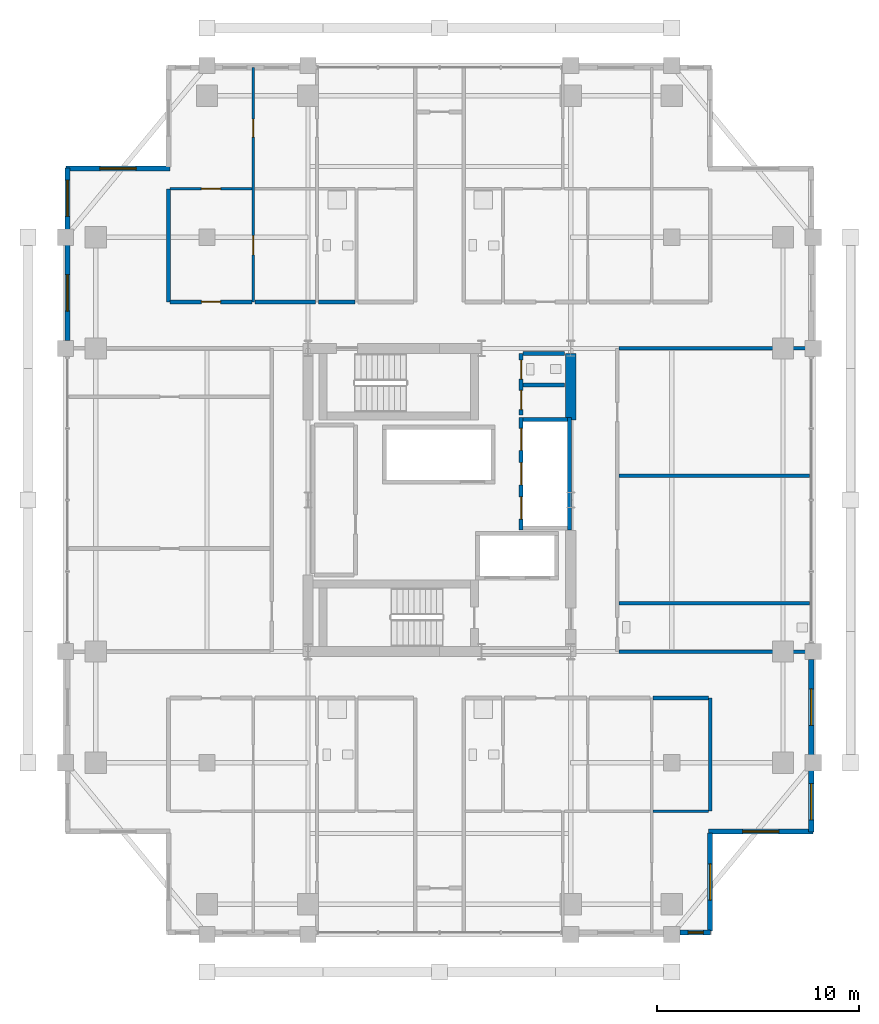
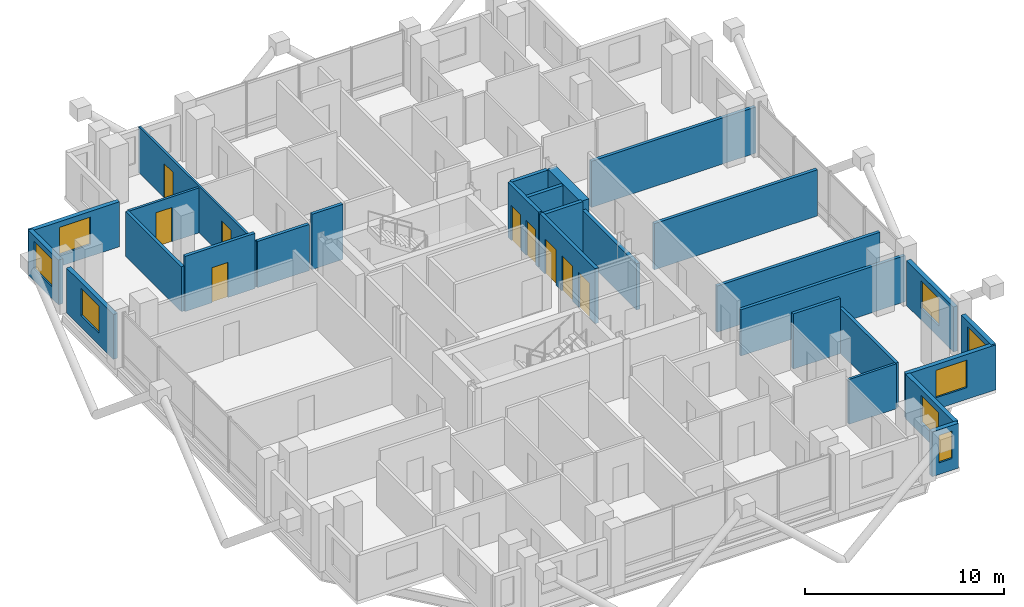
# One storey, part 20 of 24: 28 walls, 9 doors, 8 windows, 17 openings.
"""IFC4 building model written with IfcOpenShell, lengths in metres."""

from ifc_helpers import new_model, si_unit, direction, frame, frame_2d, origin, place, context, subcontext, project, spatial, rectangle, extrude, material, layer, layer_set, type_object, element, fill, save


model = new_model("IFC4")

# Units and contexts
model_context = context("Model", 3, precision=1e-05, world=origin(), true_north=direction((0.0, 1.0)))
body_context = subcontext(model_context, "Body", "Model", "MODEL_VIEW")
ifc_project = project(units=[si_unit("LENGTHUNIT", "METRE"), si_unit("AREAUNIT", "SQUARE_METRE"), si_unit("VOLUMEUNIT", "CUBIC_METRE"), si_unit("PLANEANGLEUNIT", "RADIAN"), si_unit("MASSUNIT", "GRAM", prefix="KILO")], contexts=[model_context])

# Site, building, storey
site_placement = place(None, origin())
site = spatial("IfcSite", under=ifc_project, at=site_placement, CompositionType="ELEMENT")
building_placement = place(site_placement, origin())
building = spatial("IfcBuilding", under=site, at=building_placement, Name="Barlavira Tower and Art Museum", CompositionType="ELEMENT")
storey_placement = place(building_placement, frame((0.0, 0.0, 194.39990234375)))
storey = spatial("IfcBuildingStorey", under=building, at=storey_placement, Name="L50", CompositionType="ELEMENT", Elevation=194.39990234375)

# Wall, openings, doors
ifc_material_1 = material(Name="Gypsum acoustic stud partition", Category="gypsum")
ifc_layer_1 = layer(ifc_material_1, 0.1201171875, Name="Gypsum acoustic stud partition")
ifc_layer_set_1 = layer_set([ifc_layer_1], Name="Gypsum acoustic stud partition")
wall_type_1 = type_object("IfcWallType", Name="Apartment Internal Acoustic Partition 120", PredefinedType="PARTITIONING", material=ifc_layer_set_1)
wall_1_placement = place(storey_placement, frame((-9.199951171875, 9.800048828125, 0.0), z_axis=(0.0, 0.0, 1.0), x_axis=(0.0, 1.0, 0.0)))
wall_1 = element("IfcWall", 1, at=wall_1_placement, inside=storey, type_object=wall_type_1, Name="L50 Partition Wall 4", PredefinedType="PARTITIONING", context=body_context, shape_type="SweptSolid", body=[
    extrude(rectangle(XDim=11.599853515625, YDim=0.1201171875, at=frame_2d((5.7998046875, 0.0))), origin(), (0.0, 0.0, 1.0), 2.826171875),
])
opening_1_placement = place(wall_1_placement, frame((2.324951171875, 0.0, 0.0)))
opening_1 = element("IfcOpeningElement", 2, at=opening_1_placement, cuts=wall_1, Name="Opening D-02", PredefinedType="OPENING", context=body_context, shape_type="SweptSolid", body=[
    extrude(rectangle(XDim=0.949951171875, YDim=2.10009765625, at=frame_2d((0.47509765625, 1.050048828125))), frame((0.0, 0.070068359375, 0.0), z_axis=(0.0, -1.0, 0.0), x_axis=(1.0, 0.0, 0.0)), (0.0, 0.0, 1.0), 0.14013671875),
])
opening_2_placement = place(wall_1_placement, frame((8.14990234375, 0.0, 0.0)))
opening_2 = element("IfcOpeningElement", 3, at=opening_2_placement, cuts=wall_1, Name="Opening D-01", PredefinedType="OPENING", context=body_context, shape_type="SweptSolid", body=[
    extrude(rectangle(XDim=0.89990234375, YDim=2.10009765625, at=frame_2d((0.449951171875, 1.050048828125))), frame((0.0, 0.070068359375, 0.0), z_axis=(0.0, -1.0, 0.0), x_axis=(1.0, 0.0, 0.0)), (0.0, 0.0, 1.0), 0.14013671875),
])
ifc_material_2 = material(Name="Engineered coastal hardwood", Category="wood")
door_type_1 = type_object("IfcDoorType", Name="Internal Bedroom Timber Flush Door 900x2100", OperationType="NOTDEFINED", PredefinedType="DOOR", material=ifc_material_2)
door_1_placement = place(opening_2_placement, origin())
door_1 = element("IfcDoor", 4, at=door_1_placement, inside=storey, type_object=door_type_1, Name="Apartment NW1 Bedroom 1 Door", OperationType="SINGLE_SWING_RIGHT", OverallHeight=2.10009765625, OverallWidth=0.89990234375, PredefinedType="DOOR", context=body_context, shape_type="SweptSolid", body=[
    extrude(rectangle(XDim=0.89990234375, YDim=2.10009765625, at=frame_2d((0.449951171875, 1.050048828125))), frame((0.0, 0.02490234375, 0.0), z_axis=(0.0, -1.0, 0.0), x_axis=(1.0, 0.0, 0.0)), (0.0, 0.0, 1.0), 0.050048828125),
])
fill(opening_2, door_1)
door_type_2 = type_object("IfcDoorType", Name="Living and Salon Glazed-Leaf Door 950x2100", OperationType="NOTDEFINED", PredefinedType="DOOR", material=ifc_material_2)
door_2_placement = place(opening_1_placement, origin())
door_2 = element("IfcDoor", 5, at=door_2_placement, inside=storey, type_object=door_type_2, Name="Apartment NW1 Kitchen Door", OperationType="SINGLE_SWING_RIGHT", OverallHeight=2.10009765625, OverallWidth=0.949951171875, PredefinedType="DOOR", context=body_context, shape_type="SweptSolid", body=[
    extrude(rectangle(XDim=0.949951171875, YDim=2.10009765625, at=frame_2d((0.47509765625, 1.050048828125))), frame((0.0, 0.02490234375, 0.0), z_axis=(0.0, -1.0, 0.0), x_axis=(1.0, 0.0, 0.0)), (0.0, 0.0, 1.0), 0.050048828125),
])
fill(opening_1, door_2)

# Wall
ifc_material_3 = material(Name="Concrete C60", Category="concrete")
ifc_layer_2 = layer(ifc_material_3, 0.5, Name="Concrete C60")
ifc_layer_set_2 = layer_set([ifc_layer_2], Name="Concrete C60")
wall_type_2 = type_object("IfcWallType", Name="Core Structural Shear Wall 500 Concrete C60", PredefinedType="SHEAR", material=ifc_layer_set_2)
wall_2_placement = place(storey_placement, frame((6.5, 3.949951171875, 0.0), z_axis=(0.0, 0.0, 1.0), x_axis=(0.0, 1.0, 0.0)))
element("IfcWall", 6, at=wall_2_placement, inside=storey, type_object=wall_type_2, Name="L50 Core Shear Wall CS-E2", PredefinedType="SHEAR", context=body_context, shape_type="SweptSolid", body=[
    extrude(rectangle(XDim=3.300048828125, YDim=0.5, at=frame_2d((1.64990234375, 0.0))), origin(), (0.0, 0.0, 1.0), 3.380126953125),
])

# Wall, openings, doors
ifc_material_4 = material(Name="Autoclaved aerated concrete masonry", Category="masonry")
ifc_layer_3 = layer(ifc_material_4, 0.199951171875, Name="Autoclaved aerated concrete masonry")
ifc_layer_set_3 = layer_set([ifc_layer_3], Name="Autoclaved aerated concrete masonry")
wall_type_3 = type_object("IfcWallType", Name="Fire Compartment and Shaft Wall 200", PredefinedType="SOLIDWALL", material=ifc_layer_set_3)
wall_3_placement = place(storey_placement, frame((4.050048828125, -1.489990234375, 0.0), z_axis=(0.0, 0.0, 1.0), x_axis=(0.0, 1.0, 0.0)))
wall_3 = element("IfcWall", 7, at=wall_3_placement, inside=storey, type_object=wall_type_3, Name="L50 Mid-Rise Lift Front Shaft Wall", PredefinedType="SOLIDWALL", context=body_context, shape_type="SweptSolid", body=[
    extrude(rectangle(XDim=5.580078125, YDim=0.199951171875, at=frame_2d((2.7900390625, 0.0))), origin(), (0.0, 0.0, 1.0), 3.380126953125),
])
opening_3_placement = place(wall_3_placement, frame((0.5400390625, 0.0, 0.0)))
opening_3 = element("IfcOpeningElement", 8, at=opening_3_placement, cuts=wall_3, Name="Opening LD-P", PredefinedType="OPENING", context=body_context, shape_type="SweptSolid", body=[
    extrude(rectangle(XDim=1.10009765625, YDim=2.14990234375, at=frame_2d((0.550048828125, 1.074951171875))), frame((0.0, 0.10986328125, 0.0), z_axis=(0.0, -1.0, 0.0), x_axis=(1.0, 0.0, 0.0)), (0.0, 0.0, 1.0), 0.219970703125),
])
opening_4_placement = place(wall_3_placement, frame((2.239990234375, 0.0, 0.0)))
opening_4 = element("IfcOpeningElement", 9, at=opening_4_placement, cuts=wall_3, Name="Opening LD-P", PredefinedType="OPENING", context=body_context, shape_type="SweptSolid", body=[
    extrude(rectangle(XDim=1.10009765625, YDim=2.14990234375, at=frame_2d((0.550048828125, 1.074951171875))), frame((0.0, 0.10986328125, 0.0), z_axis=(0.0, -1.0, 0.0), x_axis=(1.0, 0.0, 0.0)), (0.0, 0.0, 1.0), 0.219970703125),
])
opening_5_placement = place(wall_3_placement, frame((3.93994140625, 0.0, 0.0)))
opening_5 = element("IfcOpeningElement", 10, at=opening_5_placement, cuts=wall_3, Name="Opening LD-P", PredefinedType="OPENING", context=body_context, shape_type="SweptSolid", body=[
    extrude(rectangle(XDim=1.10009765625, YDim=2.14990234375, at=frame_2d((0.550048828125, 1.074951171875))), frame((0.0, 0.10986328125, 0.0), z_axis=(0.0, -1.0, 0.0), x_axis=(1.0, 0.0, 0.0)), (0.0, 0.0, 1.0), 0.219970703125),
])
ifc_material_5 = material(Name="Brushed stainless steel", Category="steel")
door_type_3 = type_object("IfcDoorType", Name="Passenger Lift Sliding Landing Door 1100x2150 FD60", OperationType="NOTDEFINED", PredefinedType="DOOR", material=ifc_material_5)
door_3_placement = place(opening_3_placement, origin())
door_3 = element("IfcDoor", 11, at=door_3_placement, inside=storey, type_object=door_type_3, Name="L50 Lift PM1 Sliding Landing Door", OperationType="DOUBLE_DOOR_SLIDING", OverallHeight=2.14990234375, OverallWidth=1.10009765625, PredefinedType="DOOR", context=body_context, shape_type="SweptSolid", body=[
    extrude(rectangle(XDim=1.10009765625, YDim=2.14990234375, at=frame_2d((0.550048828125, 1.074951171875))), frame((0.0, 0.02490234375, 0.0), z_axis=(0.0, -1.0, 0.0), x_axis=(1.0, 0.0, 0.0)), (0.0, 0.0, 1.0), 0.050048828125),
])
fill(opening_3, door_3)
door_4_placement = place(opening_4_placement, origin())
door_4 = element("IfcDoor", 12, at=door_4_placement, inside=storey, type_object=door_type_3, Name="L50 Lift PM2 Sliding Landing Door", OperationType="DOUBLE_DOOR_SLIDING", OverallHeight=2.14990234375, OverallWidth=1.10009765625, PredefinedType="DOOR", context=body_context, shape_type="SweptSolid", body=[
    extrude(rectangle(XDim=1.10009765625, YDim=2.14990234375, at=frame_2d((0.550048828125, 1.074951171875))), frame((0.0, 0.02490234375, 0.0), z_axis=(0.0, -1.0, 0.0), x_axis=(1.0, 0.0, 0.0)), (0.0, 0.0, 1.0), 0.050048828125),
])
fill(opening_4, door_4)
door_5_placement = place(opening_5_placement, origin())
door_5 = element("IfcDoor", 13, at=door_5_placement, inside=storey, type_object=door_type_3, Name="L50 Lift PM3 Sliding Landing Door", OperationType="DOUBLE_DOOR_SLIDING", OverallHeight=2.14990234375, OverallWidth=1.10009765625, PredefinedType="DOOR", context=body_context, shape_type="SweptSolid", body=[
    extrude(rectangle(XDim=1.10009765625, YDim=2.14990234375, at=frame_2d((0.550048828125, 1.074951171875))), frame((0.0, 0.02490234375, 0.0), z_axis=(0.0, -1.0, 0.0), x_axis=(1.0, 0.0, 0.0)), (0.0, 0.0, 1.0), 0.050048828125),
])
fill(opening_5, door_5)

# Walls
wall_4_placement = place(storey_placement, frame((6.449951171875, -1.489990234375, 0.0), z_axis=(0.0, 0.0, 1.0), x_axis=(0.0, 1.0, 0.0)))
element("IfcWall", 14, at=wall_4_placement, inside=storey, type_object=wall_type_3, Name="L50 Mid-Rise Lift Back Shaft Wall", PredefinedType="SOLIDWALL", context=body_context, shape_type="SweptSolid", body=[
    extrude(rectangle(XDim=5.580078125, YDim=0.199951171875, at=frame_2d((2.7900390625, 0.0))), origin(), (0.0, 0.0, 1.0), 2.826171875),
])
wall_5_placement = place(storey_placement, frame((4.14990234375, 3.989990234375, 0.0), z_axis=(0.0, 0.0, 1.0), x_axis=(1.0, 0.0, 0.0)))
element("IfcWall", 15, at=wall_5_placement, inside=storey, type_object=wall_type_3, Name="L50 Mid-Rise Lift North Shaft Wall", PredefinedType="SOLIDWALL", context=body_context, shape_type="SweptSolid", body=[
    extrude(rectangle(XDim=2.2001953125, YDim=0.199951171875, at=frame_2d((1.10009765625, 0.0))), origin(), (0.0, 0.0, 1.0), 3.380126953125),
])

# Wall, openings, doors
wall_6_placement = place(storey_placement, frame((4.050048828125, 4.199951171875, 0.0), z_axis=(0.0, 0.0, 1.0), x_axis=(0.0, 1.0, 0.0)))
wall_6 = element("IfcWall", 16, at=wall_6_placement, inside=storey, type_object=wall_type_3, Name="L50 Partition Wall 18", PredefinedType="SOLIDWALL", context=body_context, shape_type="SweptSolid", body=[
    extrude(rectangle(XDim=3.050048828125, YDim=0.199951171875, at=frame_2d((1.52490234375, 0.0))), origin(), (0.0, 0.0, 1.0), 3.380126953125),
])
opening_6_placement = place(wall_6_placement, frame((0.27490234375, 0.0, 0.0)))
opening_6 = element("IfcOpeningElement", 17, at=opening_6_placement, cuts=wall_6, Name="Opening FD-60", PredefinedType="OPENING", context=body_context, shape_type="SweptSolid", body=[
    extrude(rectangle(XDim=0.949951171875, YDim=2.14990234375, at=frame_2d((0.47509765625, 1.074951171875))), frame((0.0, 0.10986328125, 0.0), z_axis=(0.0, -1.0, 0.0), x_axis=(1.0, 0.0, 0.0)), (0.0, 0.0, 1.0), 0.219970703125),
])
opening_7_placement = place(wall_6_placement, frame((1.77490234375, 0.0, 0.0)))
opening_7 = element("IfcOpeningElement", 18, at=opening_7_placement, cuts=wall_6, Name="Opening FD-60", PredefinedType="OPENING", context=body_context, shape_type="SweptSolid", body=[
    extrude(rectangle(XDim=0.949951171875, YDim=2.14990234375, at=frame_2d((0.47509765625, 1.074951171875))), frame((0.0, 0.10986328125, 0.0), z_axis=(0.0, -1.0, 0.0), x_axis=(1.0, 0.0, 0.0)), (0.0, 0.0, 1.0), 0.219970703125),
])
door_type_4 = type_object("IfcDoorType", Name="Apartment Entrance and Riser Fire Door 950x2150 FD60S", OperationType="NOTDEFINED", PredefinedType="DOOR", material=ifc_material_5)
door_6_placement = place(opening_6_placement, origin())
door_6 = element("IfcDoor", 19, at=door_6_placement, inside=storey, type_object=door_type_4, Name="Electrical Switchgear Room Door", OperationType="SINGLE_SWING_LEFT", OverallHeight=2.14990234375, OverallWidth=0.949951171875, PredefinedType="DOOR", context=body_context, shape_type="SweptSolid", body=[
    extrude(rectangle(XDim=0.949951171875, YDim=2.14990234375, at=frame_2d((0.47509765625, 1.074951171875))), frame((0.0, 0.02490234375, 0.0), z_axis=(0.0, -1.0, 0.0), x_axis=(1.0, 0.0, 0.0)), (0.0, 0.0, 1.0), 0.050048828125),
])
fill(opening_6, door_6)
door_7_placement = place(opening_7_placement, origin())
door_7 = element("IfcDoor", 20, at=door_7_placement, inside=storey, type_object=door_type_4, Name="Core Staff Toilet Door", OperationType="SINGLE_SWING_RIGHT", OverallHeight=2.14990234375, OverallWidth=0.949951171875, PredefinedType="DOOR", context=body_context, shape_type="SweptSolid", body=[
    extrude(rectangle(XDim=0.949951171875, YDim=2.14990234375, at=frame_2d((0.47509765625, 1.074951171875))), frame((0.0, 0.02490234375, 0.0), z_axis=(0.0, -1.0, 0.0), x_axis=(1.0, 0.0, 0.0)), (0.0, 0.0, 1.0), 0.050048828125),
])
fill(opening_7, door_7)

# Walls
for number, where, z_axis, x_axis, name in (
    (21, (4.1298828125, 5.699951171875, 0.0), (0.0, 0.0, 1.0), (1.0, 0.0, 0.0), "L50 Partition Wall 54"),
    (22, (4.1298828125, 7.25, 0.0), (0.0, 0.0, 1.0), (1.0, 0.0, 0.0), "L50 Partition Wall 55"),
):
    element("IfcWall", number, at=place(storey_placement, frame(where, z_axis=z_axis, x_axis=x_axis)), inside=storey, type_object=wall_type_3, Name=name, PredefinedType="SOLIDWALL", context=body_context, shape_type="SweptSolid", body=[
        extrude(rectangle(XDim=2.070068359375, YDim=0.199951171875, at=frame_2d((1.03515625, 0.0))), origin(), (0.0, 0.0, 1.0), 3.380126953125),
    ])
ifc_layer_4 = layer(ifc_material_1, 0.179931640625, Name="Gypsum acoustic stud partition")
ifc_layer_set_4 = layer_set([ifc_layer_4], Name="Gypsum acoustic stud partition")
wall_type_4 = type_object("IfcWallType", Name="Inter-Tenancy Party Partition Wall 180", PredefinedType="PARTITIONING", material=ifc_layer_set_4)
for number, where, z_axis, x_axis, name in (
    (23, (-13.39990234375, 9.800048828125, 0.0), (0.0, 0.0, 1.0), (0.0, 1.0, 0.0), "L50 Partition Wall 2"),
    (24, (13.39990234375, -15.39990234375, 0.0), (0.0, 0.0, 1.0), (0.0, 1.0, 0.0), "L50 Partition Wall 26"),
):
    element("IfcWall", number, at=place(storey_placement, frame(where, z_axis=z_axis, x_axis=x_axis)), inside=storey, type_object=wall_type_4, Name=name, PredefinedType="PARTITIONING", context=body_context, shape_type="SweptSolid", body=[
        extrude(rectangle(XDim=5.599853515625, YDim=0.179931640625, at=frame_2d((2.7998046875, 0.0))), origin(), (0.0, 0.0, 1.0), 2.748046875),
    ])
wall_7_placement = place(storey_placement, frame((10.580078125, -9.800048828125, 0.0), z_axis=(0.0, 0.0, 1.0), x_axis=(1.0, 0.0, 0.0)))
element("IfcWall", 25, at=wall_7_placement, inside=storey, type_object=wall_type_4, Name="L50 Partition Wall 45", PredefinedType="PARTITIONING", context=body_context, shape_type="SweptSolid", body=[
    extrude(rectangle(XDim=2.739990234375, YDim=0.179931640625, at=frame_2d((1.3701171875, 0.0))), origin(), (0.0, 0.0, 1.0), 3.380126953125),
])
wall_8_placement = place(storey_placement, frame((8.8798828125, -7.5, 0.0), z_axis=(0.0, 0.0, 1.0), x_axis=(1.0, 0.0, 0.0)))
element("IfcWall", 26, at=wall_8_placement, inside=storey, type_object=wall_type_4, Name="L50 Partition Wall 47", PredefinedType="PARTITIONING", context=body_context, shape_type="SweptSolid", body=[
    extrude(rectangle(XDim=9.52001953125, YDim=0.179931640625, at=frame_2d((4.760009765625, 0.0))), origin(), (0.0, 0.0, 1.0), 2.826171875),
])
for number, where, z_axis, x_axis, name in (
    (27, (8.8798828125, -5.10009765625, 0.0), (0.0, 0.0, 1.0), (1.0, 0.0, 0.0), "L50 Partition Wall 48"),
    (28, (8.8798828125, 1.199951171875, 0.0), (0.0, 0.0, 1.0), (1.0, 0.0, 0.0), "L50 Partition Wall 51"),
):
    element("IfcWall", number, at=place(storey_placement, frame(where, z_axis=z_axis, x_axis=x_axis)), inside=storey, type_object=wall_type_4, Name=name, PredefinedType="PARTITIONING", context=body_context, shape_type="SweptSolid", body=[
        extrude(rectangle(XDim=9.440185546875, YDim=0.179931640625, at=frame_2d((4.72021484375, 0.0))), origin(), (0.0, 0.0, 1.0), 2.826171875),
    ])
wall_9_placement = place(storey_placement, frame((8.8798828125, 7.5, 0.0), z_axis=(0.0, 0.0, 1.0), x_axis=(1.0, 0.0, 0.0)))
element("IfcWall", 29, at=wall_9_placement, inside=storey, type_object=wall_type_4, Name="L50 Partition Wall 57", PredefinedType="PARTITIONING", context=body_context, shape_type="SweptSolid", body=[
    extrude(rectangle(XDim=9.52001953125, YDim=0.179931640625, at=frame_2d((4.760009765625, 0.0))), origin(), (0.0, 0.0, 1.0), 2.826171875),
])

# Wall, opening, door
wall_10_placement = place(storey_placement, frame((-13.320068359375, 9.800048828125, 0.0), z_axis=(0.0, 0.0, 1.0), x_axis=(1.0, 0.0, 0.0)))
wall_10 = element("IfcWall", 30, at=wall_10_placement, inside=storey, type_object=wall_type_4, Name="L50 Partition Wall 58", PredefinedType="PARTITIONING", context=body_context, shape_type="SweptSolid", body=[
    extrude(rectangle(XDim=4.0400390625, YDim=0.179931640625, at=frame_2d((2.02001953125, 0.0))), origin(), (0.0, 0.0, 1.0), 3.380126953125),
])
opening_8_placement = place(wall_10_placement, frame((1.544921875, 0.0, 0.0)))
opening_8 = element("IfcOpeningElement", 31, at=opening_8_placement, cuts=wall_10, Name="Opening FD-60", PredefinedType="OPENING", context=body_context, shape_type="SweptSolid", body=[
    extrude(rectangle(XDim=0.949951171875, YDim=2.14990234375, at=frame_2d((0.47509765625, 1.074951171875))), frame((0.0, 0.10009765625, 0.0), z_axis=(0.0, -1.0, 0.0), x_axis=(1.0, 0.0, 0.0)), (0.0, 0.0, 1.0), 0.199951171875),
])
door_8_placement = place(opening_8_placement, origin())
door_8 = element("IfcDoor", 32, at=door_8_placement, inside=storey, type_object=door_type_4, Name="Apartment Entrance Hall NW1 Door", OperationType="SINGLE_SWING_LEFT", OverallHeight=2.14990234375, OverallWidth=0.949951171875, PredefinedType="DOOR", context=body_context, shape_type="SweptSolid", body=[
    extrude(rectangle(XDim=0.949951171875, YDim=2.14990234375, at=frame_2d((0.47509765625, 1.074951171875))), frame((0.0, 0.02490234375, 0.0), z_axis=(0.0, -1.0, 0.0), x_axis=(1.0, 0.0, 0.0)), (0.0, 0.0, 1.0), 0.050048828125),
])
fill(opening_8, door_8)

# Walls
wall_11_placement = place(storey_placement, frame((-9.1201171875, 9.800048828125, 0.0), z_axis=(0.0, 0.0, 1.0), x_axis=(1.0, 0.0, 0.0)))
element("IfcWall", 33, at=wall_11_placement, inside=storey, type_object=wall_type_4, Name="L50 Partition Wall 59", PredefinedType="PARTITIONING", context=body_context, shape_type="SweptSolid", body=[
    extrude(rectangle(XDim=2.990234375, YDim=0.179931640625, at=frame_2d((1.4951171875, 0.0))), origin(), (0.0, 0.0, 1.0), 2.826171875),
])
wall_12_placement = place(storey_placement, frame((-5.969970703125, 9.800048828125, 0.0), z_axis=(0.0, 0.0, 1.0), x_axis=(1.0, 0.0, 0.0)))
element("IfcWall", 34, at=wall_12_placement, inside=storey, type_object=wall_type_4, Name="L50 Partition Wall 60", PredefinedType="PARTITIONING", context=body_context, shape_type="SweptSolid", body=[
    extrude(rectangle(XDim=1.7900390625, YDim=0.179931640625, at=frame_2d((0.89501953125, 0.0))), origin(), (0.0, 0.0, 1.0), 3.380126953125),
])
ifc_layer_5 = layer(ifc_material_1, 0.139892578125, Name="Gypsum acoustic stud partition")
ifc_layer_set_5 = layer_set([ifc_layer_5], Name="Gypsum acoustic stud partition")
wall_type_5 = type_object("IfcWallType", Name="Moisture-Resistant Bathroom Partition 140", PredefinedType="PARTITIONING", material=ifc_layer_set_5)
wall_13_placement = place(storey_placement, frame((10.580078125, -15.39990234375, 0.0), z_axis=(0.0, 0.0, 1.0), x_axis=(1.0, 0.0, 0.0)))
element("IfcWall", 35, at=wall_13_placement, inside=storey, type_object=wall_type_5, Name="L50 Partition Wall 37", PredefinedType="PARTITIONING", context=body_context, shape_type="SweptSolid", body=[
    extrude(rectangle(XDim=2.739990234375, YDim=0.139892578125, at=frame_2d((1.3701171875, 0.0))), origin(), (0.0, 0.0, 1.0), 2.748046875),
])

# Wall, opening, door
wall_14_placement = place(storey_placement, frame((-13.320068359375, 15.39990234375, 0.0), z_axis=(0.0, 0.0, 1.0), x_axis=(1.0, 0.0, 0.0)))
wall_14 = element("IfcWall", 36, at=wall_14_placement, inside=storey, type_object=wall_type_5, Name="L50 Partition Wall 66", PredefinedType="PARTITIONING", context=body_context, shape_type="SweptSolid", body=[
    extrude(rectangle(XDim=4.0400390625, YDim=0.139892578125, at=frame_2d((2.02001953125, 0.0))), origin(), (0.0, 0.0, 1.0), 2.748046875),
])
opening_9_placement = place(wall_14_placement, frame((1.544921875, 0.0, 0.0)))
opening_9 = element("IfcOpeningElement", 37, at=opening_9_placement, cuts=wall_14, Name="Opening D-02", PredefinedType="OPENING", context=body_context, shape_type="SweptSolid", body=[
    extrude(rectangle(XDim=0.949951171875, YDim=2.10009765625, at=frame_2d((0.47509765625, 1.050048828125))), frame((0.0, 0.080078125, 0.0), z_axis=(0.0, -1.0, 0.0), x_axis=(1.0, 0.0, 0.0)), (0.0, 0.0, 1.0), 0.159912109375),
])
door_9_placement = place(opening_9_placement, origin())
door_9 = element("IfcDoor", 38, at=door_9_placement, inside=storey, type_object=door_type_2, Name="Apartment NW1 Living Lounge Door", OperationType="SINGLE_SWING_LEFT", OverallHeight=2.10009765625, OverallWidth=0.949951171875, PredefinedType="DOOR", context=body_context, shape_type="SweptSolid", body=[
    extrude(rectangle(XDim=0.949951171875, YDim=2.10009765625, at=frame_2d((0.47509765625, 1.050048828125))), frame((0.0, 0.02490234375, 0.0), z_axis=(0.0, -1.0, 0.0), x_axis=(1.0, 0.0, 0.0)), (0.0, 0.0, 1.0), 0.050048828125),
])
fill(opening_9, door_9)

# Wall, opening, window
ifc_material_6 = material(Name="Precast concrete C40", Category="concrete")
ifc_layer_6 = layer(ifc_material_6, 0.25, Name="Precast concrete C40")
ifc_layer_set_6 = layer_set([ifc_layer_6], Name="Precast concrete C40")
wall_type_6 = type_object("IfcWallType", Name="Notched Corner Spandrel Wall 250 Precast Concrete C40", PredefinedType="SOLIDWALL", material=ifc_layer_set_6)
wall_15_placement = place(storey_placement, frame((11.89501953125, -21.39990234375, 0.0), z_axis=(0.0, 0.0, 1.0), x_axis=(1.0, 0.0, 0.0)))
wall_15 = element("IfcWall", 39, at=wall_15_placement, inside=storey, type_object=wall_type_6, Name="L50 Coastal Facade Pier Wall CW3-L50-S-5", PredefinedType="SOLIDWALL", context=body_context, shape_type="SweptSolid", body=[
    extrude(rectangle(XDim=1.530029296875, YDim=0.25, at=frame_2d((0.76513671875, 0.0))), origin(), (0.0, 0.0, 1.0), 2.748046875),
])
opening_10_placement = place(wall_15_placement, frame((0.407958984375, 0.0, 0.719970703125)))
opening_10 = element("IfcOpeningElement", 40, at=opening_10_placement, cuts=wall_15, Name="Opening WN-06", PredefinedType="OPENING", context=body_context, shape_type="SweptSolid", body=[
    extrude(rectangle(XDim=0.760009765625, YDim=1.679931640625, at=frame_2d((0.3798828125, 0.83984375))), frame((0.0, 0.135009765625, 0.0), z_axis=(0.0, -1.0, 0.0), x_axis=(1.0, 0.0, 0.0)), (0.0, 0.0, 1.0), 0.27001953125),
])
ifc_material_7 = material(Name="Low-iron coastal laminated glass", Category="glass")
window_type_1 = type_object("IfcWindowType", Name="Recessed Narrow Pier Window 760x1680", PartitioningType="SINGLE_PANEL", PredefinedType="WINDOW", material=ifc_material_7)
window_1_placement = place(opening_10_placement, origin())
window_1 = element("IfcWindow", 41, at=window_1_placement, inside=storey, type_object=window_type_1, Name="L50 Punched Facade Window EWP-CW3-L50-S-5-1", OverallHeight=1.679931640625, OverallWidth=0.760009765625, PartitioningType="SINGLE_PANEL", PredefinedType="WINDOW", context=body_context, shape_type="SweptSolid", body=[
    extrude(rectangle(XDim=0.760009765625, YDim=1.679931640625, at=frame_2d((0.3798828125, 0.83984375))), frame((0.0, 0.030029296875, 0.0), z_axis=(0.0, -1.0, 0.0), x_axis=(1.0, 0.0, 0.0)), (0.0, 0.0, 1.0), 0.06005859375),
])
fill(opening_10, window_1)

wall_16_placement = place(storey_placement, frame((-18.39990234375, 16.425048828125, 0.0), z_axis=(0.0, 0.0, 1.0), x_axis=(0.0, -1.0, 0.0)))
wall_16 = element("IfcWall", 42, at=wall_16_placement, inside=storey, type_object=wall_type_6, Name="L50 Coastal Facade Pier Wall CW3-L50-W-1", PredefinedType="SOLIDWALL", context=body_context, shape_type="SweptSolid", body=[
    extrude(rectangle(XDim=3.030029296875, YDim=0.25, at=frame_2d((1.51513671875, 0.0))), origin(), (0.0, 0.0, 1.0), 2.748046875),
])
opening_11_placement = place(wall_16_placement, frame((0.593017578125, 0.0, 0.719970703125)))
opening_11 = element("IfcOpeningElement", 43, at=opening_11_placement, cuts=wall_16, Name="Opening WN-01", PredefinedType="OPENING", context=body_context, shape_type="SweptSolid", body=[
    extrude(rectangle(XDim=1.800048828125, YDim=1.679931640625, at=frame_2d((0.89990234375, 0.83984375))), frame((0.0, 0.135009765625, 0.0), z_axis=(0.0, -1.0, 0.0), x_axis=(1.0, 0.0, 0.0)), (0.0, 0.0, 1.0), 0.27001953125),
])
window_type_2 = type_object("IfcWindowType", Name="Recessed Notch Corner Punch Window 1800x1680", PartitioningType="SINGLE_PANEL", PredefinedType="WINDOW", material=ifc_material_7)
window_2_placement = place(opening_11_placement, origin())
window_2 = element("IfcWindow", 44, at=window_2_placement, inside=storey, type_object=window_type_2, Name="L50 Punched Facade Window EWP-CW3-L50-W-1-1", OverallHeight=1.679931640625, OverallWidth=1.800048828125, PartitioningType="SINGLE_PANEL", PredefinedType="WINDOW", context=body_context, shape_type="SweptSolid", body=[
    extrude(rectangle(XDim=1.800048828125, YDim=1.679931640625, at=frame_2d((0.89990234375, 0.83984375))), frame((0.0, 0.030029296875, 0.0), z_axis=(0.0, -1.0, 0.0), x_axis=(1.0, 0.0, 0.0)), (0.0, 0.0, 1.0), 0.06005859375),
])
fill(opening_11, window_2)

wall_17_placement = place(storey_placement, frame((-18.39990234375, 12.60498046875, 0.0), z_axis=(0.0, 0.0, 1.0), x_axis=(0.0, -1.0, 0.0)))
wall_17 = element("IfcWall", 45, at=wall_17_placement, inside=storey, type_object=wall_type_6, Name="L50 Coastal Facade Pier Wall CW3-L50-W-2", PredefinedType="SOLIDWALL", context=body_context, shape_type="SweptSolid", body=[
    extrude(rectangle(XDim=4.7099609375, YDim=0.25, at=frame_2d((2.35498046875, 0.0))), origin(), (0.0, 0.0, 1.0), 2.748046875),
])
opening_12_placement = place(wall_17_placement, frame((1.455078125, 0.0, 0.719970703125)))
opening_12 = element("IfcOpeningElement", 46, at=opening_12_placement, cuts=wall_17, Name="Opening WN-01", PredefinedType="OPENING", context=body_context, shape_type="SweptSolid", body=[
    extrude(rectangle(XDim=1.800048828125, YDim=1.679931640625, at=frame_2d((0.89990234375, 0.83984375))), frame((0.0, 0.135009765625, 0.0), z_axis=(0.0, -1.0, 0.0), x_axis=(1.0, 0.0, 0.0)), (0.0, 0.0, 1.0), 0.27001953125),
])
window_3_placement = place(opening_12_placement, origin())
window_3 = element("IfcWindow", 47, at=window_3_placement, inside=storey, type_object=window_type_2, Name="L50 Punched Facade Window EWP-CW3-L50-W-2-1", OverallHeight=1.679931640625, OverallWidth=1.800048828125, PartitioningType="SINGLE_PANEL", PredefinedType="WINDOW", context=body_context, shape_type="SweptSolid", body=[
    extrude(rectangle(XDim=1.800048828125, YDim=1.679931640625, at=frame_2d((0.89990234375, 0.83984375))), frame((0.0, 0.030029296875, 0.0), z_axis=(0.0, -1.0, 0.0), x_axis=(1.0, 0.0, 0.0)), (0.0, 0.0, 1.0), 0.06005859375),
])
fill(opening_12, window_3)

wall_18_placement = place(storey_placement, frame((18.39990234375, -16.425048828125, 0.0), z_axis=(0.0, 0.0, 1.0), x_axis=(0.0, 1.0, 0.0)))
wall_18 = element("IfcWall", 48, at=wall_18_placement, inside=storey, type_object=wall_type_6, Name="L50 Coastal Facade Pier Wall CW3-L50-E-1", PredefinedType="SOLIDWALL", context=body_context, shape_type="SweptSolid", body=[
    extrude(rectangle(XDim=3.030029296875, YDim=0.25, at=frame_2d((1.51513671875, 0.0))), origin(), (0.0, 0.0, 1.0), 2.748046875),
])
opening_13_placement = place(wall_18_placement, frame((0.593017578125, 0.0, 0.719970703125)))
opening_13 = element("IfcOpeningElement", 49, at=opening_13_placement, cuts=wall_18, Name="Opening WN-01", PredefinedType="OPENING", context=body_context, shape_type="SweptSolid", body=[
    extrude(rectangle(XDim=1.800048828125, YDim=1.679931640625, at=frame_2d((0.89990234375, 0.83984375))), frame((0.0, 0.135009765625, 0.0), z_axis=(0.0, -1.0, 0.0), x_axis=(1.0, 0.0, 0.0)), (0.0, 0.0, 1.0), 0.27001953125),
])
window_4_placement = place(opening_13_placement, origin())
window_4 = element("IfcWindow", 50, at=window_4_placement, inside=storey, type_object=window_type_2, Name="L50 Punched Facade Window EWP-CW3-L50-E-1-1", OverallHeight=1.679931640625, OverallWidth=1.800048828125, PartitioningType="SINGLE_PANEL", PredefinedType="WINDOW", context=body_context, shape_type="SweptSolid", body=[
    extrude(rectangle(XDim=1.800048828125, YDim=1.679931640625, at=frame_2d((0.89990234375, 0.83984375))), frame((0.0, 0.030029296875, 0.0), z_axis=(0.0, -1.0, 0.0), x_axis=(1.0, 0.0, 0.0)), (0.0, 0.0, 1.0), 0.06005859375),
])
fill(opening_13, window_4)

wall_19_placement = place(storey_placement, frame((18.39990234375, -12.60498046875, 0.0), z_axis=(0.0, 0.0, 1.0), x_axis=(0.0, 1.0, 0.0)))
wall_19 = element("IfcWall", 51, at=wall_19_placement, inside=storey, type_object=wall_type_6, Name="L50 Coastal Facade Pier Wall CW3-L50-E-2", PredefinedType="SOLIDWALL", context=body_context, shape_type="SweptSolid", body=[
    extrude(rectangle(XDim=4.7099609375, YDim=0.25, at=frame_2d((2.35498046875, 0.0))), origin(), (0.0, 0.0, 1.0), 2.748046875),
])
opening_14_placement = place(wall_19_placement, frame((1.455078125, 0.0, 0.719970703125)))
opening_14 = element("IfcOpeningElement", 52, at=opening_14_placement, cuts=wall_19, Name="Opening WN-01", PredefinedType="OPENING", context=body_context, shape_type="SweptSolid", body=[
    extrude(rectangle(XDim=1.800048828125, YDim=1.679931640625, at=frame_2d((0.89990234375, 0.83984375))), frame((0.0, 0.135009765625, 0.0), z_axis=(0.0, -1.0, 0.0), x_axis=(1.0, 0.0, 0.0)), (0.0, 0.0, 1.0), 0.27001953125),
])
window_5_placement = place(opening_14_placement, origin())
window_5 = element("IfcWindow", 53, at=window_5_placement, inside=storey, type_object=window_type_2, Name="L50 Punched Facade Window EWP-CW3-L50-E-2-1", OverallHeight=1.679931640625, OverallWidth=1.800048828125, PartitioningType="SINGLE_PANEL", PredefinedType="WINDOW", context=body_context, shape_type="SweptSolid", body=[
    extrude(rectangle(XDim=1.800048828125, YDim=1.679931640625, at=frame_2d((0.89990234375, 0.83984375))), frame((0.0, 0.030029296875, 0.0), z_axis=(0.0, -1.0, 0.0), x_axis=(1.0, 0.0, 0.0)), (0.0, 0.0, 1.0), 0.06005859375),
])
fill(opening_14, window_5)

wall_20_placement = place(storey_placement, frame((13.39990234375, -21.320068359375, 0.0), z_axis=(0.0, 0.0, 1.0), x_axis=(0.0, 1.0, 0.0)))
wall_20 = element("IfcWall", 54, at=wall_20_placement, inside=storey, type_object=wall_type_6, Name="L50 Notch Corner Wall SE1", PredefinedType="SOLIDWALL", context=body_context, shape_type="SweptSolid", body=[
    extrude(rectangle(XDim=4.840087890625, YDim=0.25, at=frame_2d((2.419921875, 0.0))), origin(), (0.0, 0.0, 1.0), 2.748046875),
])
opening_15_placement = place(wall_20_placement, frame((1.52001953125, 0.0, 0.719970703125)))
opening_15 = element("IfcOpeningElement", 55, at=opening_15_placement, cuts=wall_20, Name="Opening WN-01", PredefinedType="OPENING", context=body_context, shape_type="SweptSolid", body=[
    extrude(rectangle(XDim=1.800048828125, YDim=1.679931640625, at=frame_2d((0.89990234375, 0.83984375))), frame((0.0, 0.135009765625, 0.0), z_axis=(0.0, -1.0, 0.0), x_axis=(1.0, 0.0, 0.0)), (0.0, 0.0, 1.0), 0.27001953125),
])
window_6_placement = place(opening_15_placement, origin())
window_6 = element("IfcWindow", 56, at=window_6_placement, inside=storey, type_object=window_type_2, Name="L50 Punched Facade Window EW-NTC-L50-SE1-1", OverallHeight=1.679931640625, OverallWidth=1.800048828125, PartitioningType="SINGLE_PANEL", PredefinedType="WINDOW", context=body_context, shape_type="SweptSolid", body=[
    extrude(rectangle(XDim=1.800048828125, YDim=1.679931640625, at=frame_2d((0.89990234375, 0.83984375))), frame((0.0, 0.030029296875, 0.0), z_axis=(0.0, -1.0, 0.0), x_axis=(1.0, 0.0, 0.0)), (0.0, 0.0, 1.0), 0.06005859375),
])
fill(opening_15, window_6)

wall_21_placement = place(storey_placement, frame((13.320068359375, -16.39990234375, 0.0), z_axis=(0.0, 0.0, 1.0), x_axis=(1.0, 0.0, 0.0)))
wall_21 = element("IfcWall", 57, at=wall_21_placement, inside=storey, type_object=wall_type_6, Name="L50 Notch Corner Wall SE2", PredefinedType="SOLIDWALL", context=body_context, shape_type="SweptSolid", body=[
    extrude(rectangle(XDim=5.159912109375, YDim=0.25, at=frame_2d((2.580078125, 0.0))), origin(), (0.0, 0.0, 1.0), 2.748046875),
])
opening_16_placement = place(wall_21_placement, frame((1.679931640625, 0.0, 0.719970703125)))
opening_16 = element("IfcOpeningElement", 58, at=opening_16_placement, cuts=wall_21, Name="Opening WN-01", PredefinedType="OPENING", context=body_context, shape_type="SweptSolid", body=[
    extrude(rectangle(XDim=1.800048828125, YDim=1.679931640625, at=frame_2d((0.89990234375, 0.83984375))), frame((0.0, 0.135009765625, 0.0), z_axis=(0.0, -1.0, 0.0), x_axis=(1.0, 0.0, 0.0)), (0.0, 0.0, 1.0), 0.27001953125),
])
window_7_placement = place(opening_16_placement, origin())
window_7 = element("IfcWindow", 59, at=window_7_placement, inside=storey, type_object=window_type_2, Name="L50 Punched Facade Window EW-NTC-L50-SE2-1", OverallHeight=1.679931640625, OverallWidth=1.800048828125, PartitioningType="SINGLE_PANEL", PredefinedType="WINDOW", context=body_context, shape_type="SweptSolid", body=[
    extrude(rectangle(XDim=1.800048828125, YDim=1.679931640625, at=frame_2d((0.89990234375, 0.83984375))), frame((0.0, 0.030029296875, 0.0), z_axis=(0.0, -1.0, 0.0), x_axis=(1.0, 0.0, 0.0)), (0.0, 0.0, 1.0), 0.06005859375),
])
fill(opening_16, window_7)

wall_22_placement = place(storey_placement, frame((-13.320068359375, 16.39990234375, 0.0), z_axis=(0.0, 0.0, 1.0), x_axis=(-1.0, 0.0, 0.0)))
wall_22 = element("IfcWall", 60, at=wall_22_placement, inside=storey, type_object=wall_type_6, Name="L50 Notch Corner Wall NW2", PredefinedType="SOLIDWALL", context=body_context, shape_type="SweptSolid", body=[
    extrude(rectangle(XDim=5.159912109375, YDim=0.25, at=frame_2d((2.580078125, 0.0))), origin(), (0.0, 0.0, 1.0), 2.748046875),
])
opening_17_placement = place(wall_22_placement, frame((1.679931640625, 0.0, 0.719970703125)))
opening_17 = element("IfcOpeningElement", 61, at=opening_17_placement, cuts=wall_22, Name="Opening WN-01", PredefinedType="OPENING", context=body_context, shape_type="SweptSolid", body=[
    extrude(rectangle(XDim=1.800048828125, YDim=1.679931640625, at=frame_2d((0.89990234375, 0.83984375))), frame((0.0, 0.135009765625, 0.0), z_axis=(0.0, -1.0, 0.0), x_axis=(1.0, 0.0, 0.0)), (0.0, 0.0, 1.0), 0.27001953125),
])
window_8_placement = place(opening_17_placement, origin())
window_8 = element("IfcWindow", 62, at=window_8_placement, inside=storey, type_object=window_type_2, Name="L50 Punched Facade Window EW-NTC-L50-NW2-1", OverallHeight=1.679931640625, OverallWidth=1.800048828125, PartitioningType="SINGLE_PANEL", PredefinedType="WINDOW", context=body_context, shape_type="SweptSolid", body=[
    extrude(rectangle(XDim=1.800048828125, YDim=1.679931640625, at=frame_2d((0.89990234375, 0.83984375))), frame((0.0, 0.030029296875, 0.0), z_axis=(0.0, -1.0, 0.0), x_axis=(1.0, 0.0, 0.0)), (0.0, 0.0, 1.0), 0.06005859375),
])
fill(opening_17, window_8)

save(model, "model.ifc")
